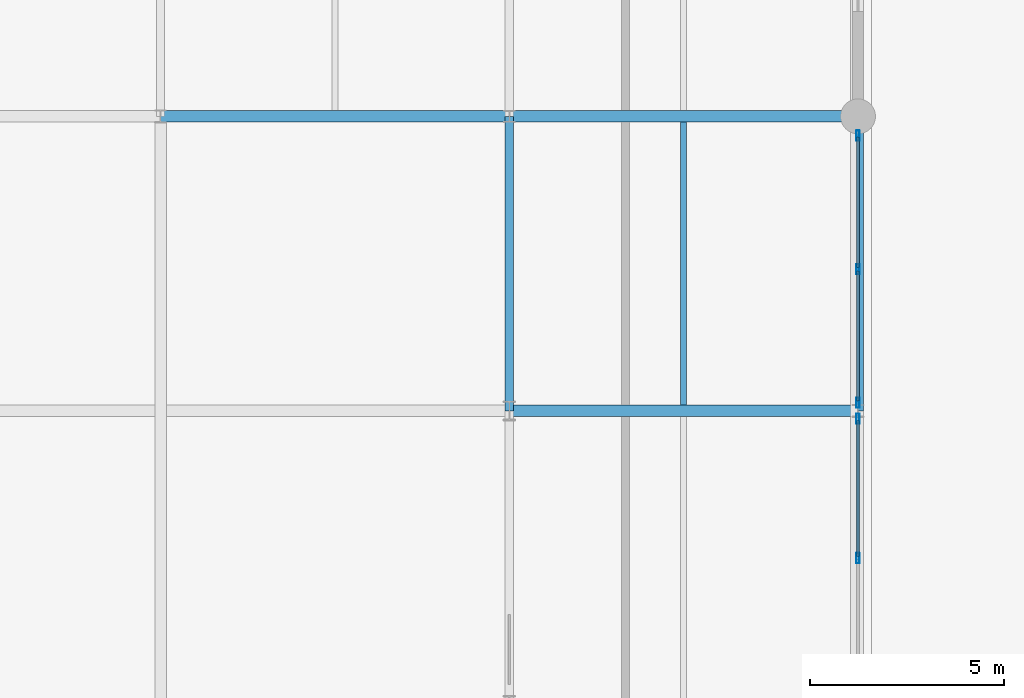
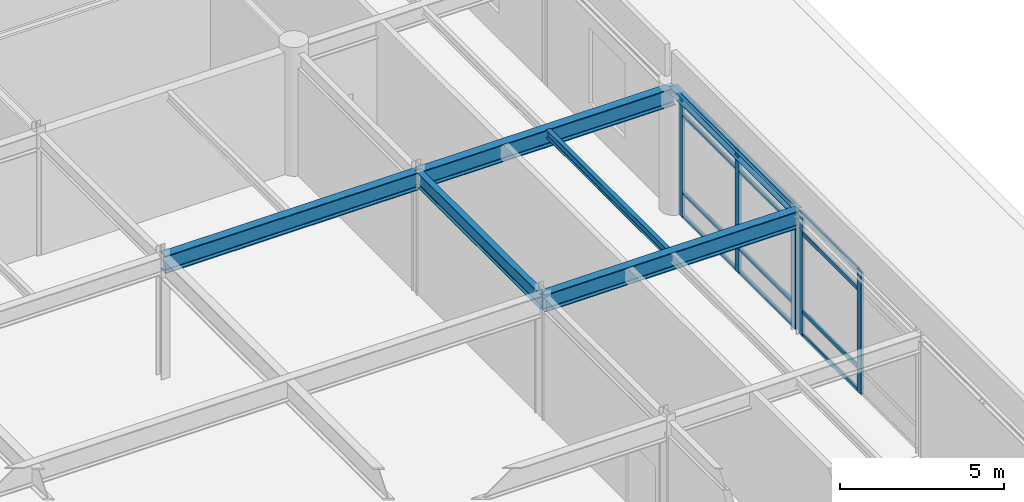
# One storey, part 21 of 43: 17 members, 6 beams, 2 elements without a shape of their own.
"""IFC4 building model written with IfcOpenShell, lengths in metres."""

import ifcopenshell
import ifcopenshell.guid

model = None  # the IFC model being written
_history = None  # IfcOwnerHistory: only IFC2X3 demands one
_inside = {}  # id of a spatial element -> (the spatial element, [elements in it])
_under = {}  # id of a project, library or spatial element -> (it, [spatial elements below it])
_declared = {}  # id of a project -> (the project, [libraries it declares])
_typed = {}  # id of a type object -> (the type object, [elements of that type])
_made_of = {}  # id of a material, layer set ... -> (it, [elements and type objects made of it])


def new_model(schema):
    """Start an empty IFC model of exactly this schema.

    Asked for "IFC4X3", IfcOpenShell would pick the latest addendum, in which some entities
    have other attributes; the version numbers below select the first issue.
    IFC2X3 requires an IfcOwnerHistory on every rooted entity: one is made here for all.
    """
    global model, _history
    if schema == "IFC4X3":
        model = ifcopenshell.file(schema_version=(4, 3, 0, 0))
    else:
        model = ifcopenshell.file(schema=schema)
    _inside.clear()
    _under.clear()
    _declared.clear()
    _typed.clear()
    _made_of.clear()
    _history = None
    if model.schema == "IFC2X3":
        org = make("IfcOrganization", Name="unknown")
        user = make(
            "IfcPersonAndOrganization",
            ThePerson=make("IfcPerson", FamilyName="unknown"),
            TheOrganization=org,
        )
        app = make(
            "IfcApplication",
            ApplicationDeveloper=org,
            Version="unknown",
            ApplicationFullName="unknown",
            ApplicationIdentifier="unknown",
        )
        _history = make(
            "IfcOwnerHistory",
            OwningUser=user,
            OwningApplication=app,
            ChangeAction="ADDED",
            CreationDate=0,
        )
    return model


def make(cls, **values):
    """One entity of the class cls with the attributes given. An attribute that is None is left unset."""
    return model.create_entity(
        cls, **{name: value for name, value in values.items() if value is not None}
    )


def rooted(cls, **values):
    """An entity with a GlobalId (a new one), such as an element, a storey or a relation."""
    return make(cls, GlobalId=ifcopenshell.guid.new(), OwnerHistory=_history, **values)


def si_unit(unit_type, name, prefix=None):
    """IfcSIUnit, for example si_unit("LENGTHUNIT", "METRE", prefix="MILLI")."""
    return make("IfcSIUnit", UnitType=unit_type, Prefix=prefix, Name=name)


def assignment(units):
    """IfcUnitAssignment: the units of a project."""
    return None if units is None else make("IfcUnitAssignment", Units=units)


def point(xyz):
    """IfcCartesianPoint."""
    return None if xyz is None else make("IfcCartesianPoint", Coordinates=xyz)


def direction(xyz):
    """IfcDirection."""
    return None if xyz is None else make("IfcDirection", DirectionRatios=xyz)


def frame(location, z_axis=None, x_axis=None):
    """IfcAxis2Placement3D, a coordinate frame: its origin and axes. An axis left out is left unset."""
    return make(
        "IfcAxis2Placement3D",
        Location=point(location),
        Axis=direction(z_axis),
        RefDirection=direction(x_axis),
    )


def frame_2d(location, x_axis=None):
    """IfcAxis2Placement2D, a coordinate frame in the plane: its origin and x axis."""
    return make(
        "IfcAxis2Placement2D", Location=point(location), RefDirection=direction(x_axis)
    )


def origin():
    """The frame at (0, 0, 0) with its axes left unset."""
    return frame((0.0, 0.0, 0.0))


def origin_2d():
    """The frame at (0, 0) in the plane with its x axis left unset."""
    return frame_2d((0.0, 0.0))


def place(relative_to, where):
    """IfcLocalPlacement: puts the frame where relative to a parent placement (None: the world)."""
    return make(
        "IfcLocalPlacement", PlacementRelTo=relative_to, RelativePlacement=where
    )


def context(
    kind, dimensions, precision=None, world=None, true_north=None, identifier=None
):
    """IfcGeometricRepresentationContext, for example the 3D "Model" context."""
    return make(
        "IfcGeometricRepresentationContext",
        ContextIdentifier=identifier,
        ContextType=kind,
        CoordinateSpaceDimension=dimensions,
        Precision=precision,
        WorldCoordinateSystem=world,
        TrueNorth=true_north,
    )


def subcontext(parent, identifier, kind, view, scale=None):
    """IfcGeometricRepresentationSubContext, for example "Body" below "Model"."""
    return make(
        "IfcGeometricRepresentationSubContext",
        ContextIdentifier=identifier,
        ContextType=kind,
        ParentContext=parent,
        TargetScale=scale,
        TargetView=view,
    )


def project(units=None, contexts=None):
    """IfcProject with its units and contexts."""
    return rooted(
        "IfcProject",
        Name="project",
        RepresentationContexts=contexts,
        UnitsInContext=assignment(units),
    )


def spatial(cls, under=None, at=None, **own):
    """A site, building, storey or space (cls), placed at a placement, below another one or the project."""
    s = rooted(cls, ObjectPlacement=at, **own)
    if under is not None:
        _under.setdefault(under.id(), (under, []))[1].append(s)
    return s


def profile(cls, at=None, kind="AREA", **sizes):
    """A parametric profile (cls). Its sizes go by their IFC names, for example OverallWidth=200.0."""
    return make(cls, ProfileType=kind, Position=at, **sizes)


def hollow_rectangle(**sizes):
    """IfcRectangleHollowProfileDef."""
    return profile("IfcRectangleHollowProfileDef", **sizes)


def i_section(**sizes):
    """IfcIShapeProfileDef."""
    return profile("IfcIShapeProfileDef", **sizes)


def extrude(swept, where, along, depth):
    """IfcExtrudedAreaSolid: the profile swept, set in the frame where, extruded along a direction by depth."""
    return make(
        "IfcExtrudedAreaSolid",
        SweptArea=swept,
        Position=where,
        ExtrudedDirection=direction(along),
        Depth=depth,
    )


def shape(context_of_items, identifier, shape_type, items):
    """IfcShapeRepresentation: the items that make up one representation, for example the "Body"."""
    return make(
        "IfcShapeRepresentation",
        ContextOfItems=context_of_items,
        RepresentationIdentifier=identifier,
        RepresentationType=shape_type,
        Items=items,
    )


def material(Name=None, Category=None):
    """IfcMaterial."""
    return make("IfcMaterial", Name=Name, Category=Category)


def layer(
    of_material, thickness, ventilated=None, Name=None, Category=None, Priority=None
):
    """IfcMaterialLayer: one layer of a wall or slab, of a material (None: an air gap)."""
    return make(
        "IfcMaterialLayer",
        Material=of_material,
        LayerThickness=thickness,
        IsVentilated=ventilated,
        Name=Name,
        Category=Category,
        Priority=Priority,
    )


def layer_set(layers, Name=None):
    """IfcMaterialLayerSet."""
    return make("IfcMaterialLayerSet", MaterialLayers=layers, LayerSetName=Name)


def material_profile(
    of_material, cross_section, Name=None, Category=None, Priority=None
):
    """IfcMaterialProfile: a cross section and its material."""
    return make(
        "IfcMaterialProfile",
        Name=Name,
        Material=of_material,
        Profile=cross_section,
        Priority=Priority,
        Category=Category,
    )


def profile_set(profiles, Name=None, composite=None):
    """IfcMaterialProfileSet."""
    return make(
        "IfcMaterialProfileSet",
        Name=Name,
        MaterialProfiles=profiles,
        CompositeProfile=composite,
    )


def made_of(thing, what):
    """Note that an element or type object is made of a material, layer set ...; save() writes the relation."""
    if what is not None:
        _made_of.setdefault(what.id(), (what, []))[1].append(thing)
    return thing


def type_object(cls, material=None, **own):
    """A type object (cls), such as IfcWallType, which elements share."""
    return made_of(rooted(cls, **own), material)


def element(
    cls,
    number,
    at=None,
    inside=None,
    cuts=None,
    type_object=None,
    material=None,
    context=None,
    identifier="Body",
    shape_type=None,
    held_by="IfcProductDefinitionShape",
    body=None,
    shapes=None,
    **own,
):
    """One element of the class cls, such as IfcWall. Its Tag is "e" and its number.

    at: its placement. inside: the storey or other place that contains it. cuts: it is an
    opening in that element (IfcRelVoidsElement). A single representation is given by context,
    identifier, shape_type and body (its items); several are given by shapes. held_by: the class
    of the entity that holds the representations. save() writes the other relations.
    """
    e = rooted(cls, Tag="e%d" % number, ObjectPlacement=at, **own)
    if body is not None:
        shapes = [shape(context, identifier, shape_type, body)]
    if shapes is not None:
        e.Representation = make(held_by, Representations=shapes)
    if inside is not None:
        _inside.setdefault(inside.id(), (inside, []))[1].append(e)
    if cuts is not None:
        rooted(
            "IfcRelVoidsElement", RelatingBuildingElement=cuts, RelatedOpeningElement=e
        )
    if type_object is not None:
        _typed.setdefault(type_object.id(), (type_object, []))[1].append(e)
    return made_of(e, material)


def aggregate(whole, parts):
    """IfcRelAggregates: a whole, such as a stair, and the parts it consists of."""
    return rooted("IfcRelAggregates", RelatingObject=whole, RelatedObjects=parts)


def save(model, path):
    """Write the relations noted so far, then the file.

    IfcRelAggregates (storeys below a building ...), IfcRelContainedInSpatialStructure (elements
    in a storey), IfcRelDefinesByType, IfcRelAssociatesMaterial and IfcRelDeclares: one each for
    every whole, place, type object, material and project.
    """
    for whole, parts in _under.values():
        aggregate(whole, parts)
    for where, things in _inside.values():
        rooted(
            "IfcRelContainedInSpatialStructure",
            RelatedElements=things,
            RelatingStructure=where,
        )
    for kind, things in _typed.values():
        rooted("IfcRelDefinesByType", RelatedObjects=things, RelatingType=kind)
    for what, things in _made_of.values():
        rooted("IfcRelAssociatesMaterial", RelatedObjects=things, RelatingMaterial=what)
    for by, libraries in _declared.values():
        rooted("IfcRelDeclares", RelatingContext=by, RelatedDefinitions=libraries)
    model.write(path)


model = new_model("IFC4")

# Units and contexts
model_context = context("Model", 3, precision=1e-05, world=origin(), true_north=direction((0.0, 1.0)))
body_context = subcontext(model_context, "Body", "Model", "MODEL_VIEW")
ifc_project = project(units=[si_unit("LENGTHUNIT", "METRE"), si_unit("AREAUNIT", "SQUARE_METRE"), si_unit("VOLUMEUNIT", "CUBIC_METRE"), si_unit("PLANEANGLEUNIT", "RADIAN"), si_unit("MASSUNIT", "GRAM", prefix="KILO")], contexts=[model_context])

# Site, building, storey
site_placement = place(None, origin())
site = spatial("IfcSite", under=ifc_project, at=site_placement, CompositionType="ELEMENT")
building_placement = place(site_placement, origin())
building = spatial("IfcBuilding", under=site, at=building_placement, Name="Shalkamar Park Central Library", CompositionType="ELEMENT")
storey_placement = place(building_placement, frame((0.0, 0.0, 15.60009765625)))
storey = spatial("IfcBuildingStorey", under=building, at=storey_placement, Name="L04", CompositionType="ELEMENT", Elevation=15.60009765625)

# Beam
ifc_material_1 = material(Name="Steel S355", Category="steel")
ifc_material_profile_1 = material_profile(ifc_material_1, i_section(OverallWidth=0.14990234375, OverallDepth=0.300048828125, WebThickness=0.007080078125, FlangeThickness=0.0107421875, FilletRadius=0.014892578125, at=origin_2d()), Name="IPE 300")
ifc_profile_set_1 = profile_set([ifc_material_profile_1], Name="Steel S355")
beam_type_1 = type_object("IfcBeamType", Name="Composite Floor Joist IPE300", PredefinedType="JOIST", material=ifc_profile_set_1)
beam_1_placement = place(storey_placement, frame((259.5, 285.748046875, 4.419921875), z_axis=(0.0, 1.0, 0.0), x_axis=(-1.0, 0.0, 0.0)))
element("IfcBeam", 1, at=beam_1_placement, inside=storey, type_object=beam_type_1, Name="Composite Joist 18/G-1 (L04)", PredefinedType="JOIST", context=body_context, shape_type="SweptSolid", body=[
    extrude(i_section(OverallWidth=0.14990234375, OverallDepth=0.300048828125, WebThickness=0.007080078125, FlangeThickness=0.0107421875, FilletRadius=0.014892578125, at=origin_2d()), origin(), (0.0, 0.0, 1.0), 7.303955078125),
])

# Curtain wall, members
ifc_material_2 = material(Name="Thermally broken aluminium and triple low-e curtain wall", Category="aluminium")
ifc_layer_1 = layer(ifc_material_2, 0.27001953125)
ifc_layer_set_1 = layer_set([ifc_layer_1], Name="UnitisedCurtainWall_65")
curtain_wall_type_1 = type_object("IfcCurtainWallType", Name="Unitised Curtain Wall 65", PredefinedType="USERDEFINED", material=ifc_layer_set_1)
curtain_wall_1_placement = place(storey_placement, origin())
curtain_wall_1 = element("IfcCurtainWall", 2, at=curtain_wall_1_placement, inside=storey, type_object=curtain_wall_type_1, Name="Unitised Curtain Wall CW-L04-080", ObjectType="UNITISED CURTAIN WALL", PredefinedType="USERDEFINED")
ifc_material_3 = material(Name="Aluminium 6060-T66", Category="aluminium")
ifc_material_profile_2 = material_profile(ifc_material_3, hollow_rectangle(XDim=0.080078125, YDim=0.27001953125, WallThickness=0.0048828125, InnerFilletRadius=0.0048828125, OuterFilletRadius=0.007568359375, at=origin_2d()), Name="ALU 80x270x5")
ifc_profile_set_2 = profile_set([ifc_material_profile_2], Name="Aluminium 6060-T66")
member_type_1 = type_object("IfcMemberType", Name="Curtain Wall Mullion ALU80x270", PredefinedType="MULLION", material=ifc_profile_set_2)
member_1_placement = place(storey_placement, frame((264.0, 281.800048828125, 0.0), z_axis=(0.0, 0.0, 1.0), x_axis=(-1.0, 0.0, 0.0)))
member_1 = element("IfcMember", 3, at=member_1_placement, type_object=member_type_1, Name="CW-65 mullion 2", PredefinedType="MULLION", context=body_context, shape_type="SweptSolid", body=[
    extrude(hollow_rectangle(XDim=0.080078125, YDim=0.27001953125, WallThickness=0.0048828125, InnerFilletRadius=0.0048828125, OuterFilletRadius=0.007568359375, at=origin_2d()), origin(), (0.0, 0.0, 1.0), 4.56982421875),
])
member_2_placement = place(storey_placement, frame((264.0, 285.39599609375, 0.0), z_axis=(0.0, 0.0, 1.0), x_axis=(-1.0, 0.0, 0.0)))
member_2 = element("IfcMember", 4, at=member_2_placement, type_object=member_type_1, Name="CW-65 mullion 3", PredefinedType="MULLION", context=body_context, shape_type="SweptSolid", body=[
    extrude(hollow_rectangle(XDim=0.080078125, YDim=0.27001953125, WallThickness=0.0048828125, InnerFilletRadius=0.0048828125, OuterFilletRadius=0.007568359375, at=origin_2d()), origin(), (0.0, 0.0, 1.0), 4.56982421875),
])

ifc_layer_2 = layer(ifc_material_2, 0.264892578125)
ifc_layer_set_2 = layer_set([ifc_layer_2], Name="UnitisedCurtainWall_66")
curtain_wall_type_2 = type_object("IfcCurtainWallType", Name="Unitised Curtain Wall 66", PredefinedType="USERDEFINED", material=ifc_layer_set_2)
curtain_wall_2_placement = place(storey_placement, origin())
curtain_wall_2 = element("IfcCurtainWall", 5, at=curtain_wall_2_placement, inside=storey, type_object=curtain_wall_type_2, Name="Unitised Curtain Wall CW-L04-081", ObjectType="UNITISED CURTAIN WALL", PredefinedType="USERDEFINED")
ifc_material_profile_3 = material_profile(ifc_material_3, hollow_rectangle(XDim=0.0849609375, YDim=0.264892578125, WallThickness=0.0048828125, InnerFilletRadius=0.0048828125, OuterFilletRadius=0.007568359375, at=origin_2d()), Name="ALU 85x265x5")
ifc_profile_set_3 = profile_set([ifc_material_profile_3], Name="Aluminium 6060-T66")
member_type_2 = type_object("IfcMemberType", Name="Curtain Wall Mullion ALU85x265", PredefinedType="MULLION", material=ifc_profile_set_3)
member_3_placement = place(storey_placement, frame((264.0, 285.806396484375, 0.0), z_axis=(0.0, 0.0, 1.0), x_axis=(-1.0, 0.0, 0.0)))
member_3 = element("IfcMember", 6, at=member_3_placement, type_object=member_type_2, Name="CW-66 mullion 1", PredefinedType="MULLION", context=body_context, shape_type="SweptSolid", body=[
    extrude(hollow_rectangle(XDim=0.0849609375, YDim=0.264892578125, WallThickness=0.0048828125, InnerFilletRadius=0.0048828125, OuterFilletRadius=0.007568359375, at=origin_2d()), origin(), (0.0, 0.0, 1.0), 4.5498046875),
])
member_4_placement = place(storey_placement, frame((264.0, 289.2548828125, 0.0), z_axis=(0.0, 0.0, 1.0), x_axis=(-1.0, 0.0, 0.0)))
member_4 = element("IfcMember", 7, at=member_4_placement, type_object=member_type_2, Name="CW-66 mullion 2", PredefinedType="MULLION", context=body_context, shape_type="SweptSolid", body=[
    extrude(hollow_rectangle(XDim=0.0849609375, YDim=0.264892578125, WallThickness=0.0048828125, InnerFilletRadius=0.0048828125, OuterFilletRadius=0.007568359375, at=origin_2d()), origin(), (0.0, 0.0, 1.0), 4.5498046875),
])
member_5_placement = place(storey_placement, frame((264.0, 292.70361328125, 0.0), z_axis=(0.0, 0.0, 1.0), x_axis=(-1.0, 0.0, 0.0)))
member_5 = element("IfcMember", 8, at=member_5_placement, type_object=member_type_2, Name="CW-66 mullion 3", PredefinedType="MULLION", context=body_context, shape_type="SweptSolid", body=[
    extrude(hollow_rectangle(XDim=0.0849609375, YDim=0.264892578125, WallThickness=0.0048828125, InnerFilletRadius=0.0048828125, OuterFilletRadius=0.007568359375, at=origin_2d()), origin(), (0.0, 0.0, 1.0), 4.5498046875),
])

# Member
ifc_material_profile_4 = material_profile(ifc_material_3, hollow_rectangle(XDim=0.06494140625, YDim=0.175048828125, WallThickness=0.00439453125, InnerFilletRadius=0.00439453125, OuterFilletRadius=0.0068359375, at=origin_2d()), Name="ALU 65x175x4.5")
ifc_profile_set_4 = profile_set([ifc_material_profile_4], Name="Aluminium 6060-T66")
member_type_3 = type_object("IfcMemberType", Name="Curtain Wall Transom ALU65x175", PredefinedType="USERDEFINED", material=ifc_profile_set_4)
member_6_placement = place(storey_placement, frame((264.0, 281.840087890625, 0.032470703125), z_axis=(0.0, 1.0, 0.0), x_axis=(-1.0, 0.0, 0.0)))
member_6 = element("IfcMember", 9, at=member_6_placement, type_object=member_type_3, Name="CW-65 transom 2.1", ObjectType="TRANSOM", PredefinedType="USERDEFINED", context=body_context, shape_type="SweptSolid", body=[
    extrude(hollow_rectangle(XDim=0.06494140625, YDim=0.175048828125, WallThickness=0.00439453125, InnerFilletRadius=0.00439453125, OuterFilletRadius=0.0068359375, at=origin_2d()), origin(), (0.0, 0.0, 1.0), 3.515869140625),
])

member_7_placement = place(storey_placement, frame((264.0, 281.840087890625, 0.89990234375), z_axis=(0.0, 1.0, 0.0), x_axis=(-1.0, 0.0, 0.0)))
member_7 = element("IfcMember", 10, at=member_7_placement, type_object=member_type_3, Name="CW-65 transom 2.2", ObjectType="TRANSOM", PredefinedType="USERDEFINED", context=body_context, shape_type="SweptSolid", body=[
    extrude(hollow_rectangle(XDim=0.06494140625, YDim=0.175048828125, WallThickness=0.00439453125, InnerFilletRadius=0.00439453125, OuterFilletRadius=0.0068359375, at=origin_2d()), origin(), (0.0, 0.0, 1.0), 3.515869140625),
])

member_8_placement = place(storey_placement, frame((264.0, 281.840087890625, 3.81982421875), z_axis=(0.0, 1.0, 0.0), x_axis=(-1.0, 0.0, 0.0)))
member_8 = element("IfcMember", 11, at=member_8_placement, type_object=member_type_3, Name="CW-65 transom 2.3", ObjectType="TRANSOM", PredefinedType="USERDEFINED", context=body_context, shape_type="SweptSolid", body=[
    extrude(hollow_rectangle(XDim=0.06494140625, YDim=0.175048828125, WallThickness=0.00439453125, InnerFilletRadius=0.00439453125, OuterFilletRadius=0.0068359375, at=origin_2d()), origin(), (0.0, 0.0, 1.0), 3.515869140625),
])

member_9_placement = place(storey_placement, frame((264.0, 281.840087890625, 4.537353515625), z_axis=(0.0, 1.0, 0.0), x_axis=(-1.0, 0.0, 0.0)))
member_9 = element("IfcMember", 12, at=member_9_placement, type_object=member_type_3, Name="CW-65 transom 2.4", ObjectType="TRANSOM", PredefinedType="USERDEFINED", context=body_context, shape_type="SweptSolid", body=[
    extrude(hollow_rectangle(XDim=0.06494140625, YDim=0.175048828125, WallThickness=0.00439453125, InnerFilletRadius=0.00439453125, OuterFilletRadius=0.0068359375, at=origin_2d()), origin(), (0.0, 0.0, 1.0), 3.515869140625),
])

aggregate(curtain_wall_1, [member_1, member_2, member_6, member_7, member_8, member_9])

ifc_material_profile_5 = material_profile(ifc_material_3, hollow_rectangle(XDim=0.070068359375, YDim=0.179931640625, WallThickness=0.00439453125, InnerFilletRadius=0.00439453125, OuterFilletRadius=0.0068359375, at=origin_2d()), Name="ALU 70x180x4.5")
ifc_profile_set_5 = profile_set([ifc_material_profile_5], Name="Aluminium 6060-T66")
member_type_4 = type_object("IfcMemberType", Name="Curtain Wall Transom ALU70x180", PredefinedType="USERDEFINED", material=ifc_profile_set_5)
member_10_placement = place(storey_placement, frame((264.0, 285.84912109375, 0.034912109375), z_axis=(0.0, 1.0, 0.0), x_axis=(-1.0, 0.0, 0.0)))
member_10 = element("IfcMember", 13, at=member_10_placement, type_object=member_type_4, Name="CW-66 transom 1.1", ObjectType="TRANSOM", PredefinedType="USERDEFINED", context=body_context, shape_type="SweptSolid", body=[
    extrude(hollow_rectangle(XDim=0.070068359375, YDim=0.179931640625, WallThickness=0.00439453125, InnerFilletRadius=0.00439453125, OuterFilletRadius=0.0068359375, at=origin_2d()), origin(), (0.0, 0.0, 1.0), 3.36328125),
])

member_11_placement = place(storey_placement, frame((264.0, 285.84912109375, 0.89990234375), z_axis=(0.0, 1.0, 0.0), x_axis=(-1.0, 0.0, 0.0)))
member_11 = element("IfcMember", 14, at=member_11_placement, type_object=member_type_4, Name="CW-66 transom 1.2", ObjectType="TRANSOM", PredefinedType="USERDEFINED", context=body_context, shape_type="SweptSolid", body=[
    extrude(hollow_rectangle(XDim=0.070068359375, YDim=0.179931640625, WallThickness=0.00439453125, InnerFilletRadius=0.00439453125, OuterFilletRadius=0.0068359375, at=origin_2d()), origin(), (0.0, 0.0, 1.0), 3.36328125),
])

member_12_placement = place(storey_placement, frame((264.0, 285.84912109375, 3.7998046875), z_axis=(0.0, 1.0, 0.0), x_axis=(-1.0, 0.0, 0.0)))
member_12 = element("IfcMember", 15, at=member_12_placement, type_object=member_type_4, Name="CW-66 transom 1.3", ObjectType="TRANSOM", PredefinedType="USERDEFINED", context=body_context, shape_type="SweptSolid", body=[
    extrude(hollow_rectangle(XDim=0.070068359375, YDim=0.179931640625, WallThickness=0.00439453125, InnerFilletRadius=0.00439453125, OuterFilletRadius=0.0068359375, at=origin_2d()), origin(), (0.0, 0.0, 1.0), 3.36328125),
])

member_13_placement = place(storey_placement, frame((264.0, 285.84912109375, 4.514892578125), z_axis=(0.0, 1.0, 0.0), x_axis=(-1.0, 0.0, 0.0)))
member_13 = element("IfcMember", 16, at=member_13_placement, type_object=member_type_4, Name="CW-66 transom 1.4", ObjectType="TRANSOM", PredefinedType="USERDEFINED", context=body_context, shape_type="SweptSolid", body=[
    extrude(hollow_rectangle(XDim=0.070068359375, YDim=0.179931640625, WallThickness=0.00439453125, InnerFilletRadius=0.00439453125, OuterFilletRadius=0.0068359375, at=origin_2d()), origin(), (0.0, 0.0, 1.0), 3.36328125),
])

member_14_placement = place(storey_placement, frame((264.0, 289.297607421875, 0.034912109375), z_axis=(0.0, 1.0, 0.0), x_axis=(-1.0, 0.0, 0.0)))
member_14 = element("IfcMember", 17, at=member_14_placement, type_object=member_type_4, Name="CW-66 transom 2.1", ObjectType="TRANSOM", PredefinedType="USERDEFINED", context=body_context, shape_type="SweptSolid", body=[
    extrude(hollow_rectangle(XDim=0.070068359375, YDim=0.179931640625, WallThickness=0.00439453125, InnerFilletRadius=0.00439453125, OuterFilletRadius=0.0068359375, at=origin_2d()), origin(), (0.0, 0.0, 1.0), 3.36328125),
])

member_15_placement = place(storey_placement, frame((264.0, 289.297607421875, 0.89990234375), z_axis=(0.0, 1.0, 0.0), x_axis=(-1.0, 0.0, 0.0)))
member_15 = element("IfcMember", 18, at=member_15_placement, type_object=member_type_4, Name="CW-66 transom 2.2", ObjectType="TRANSOM", PredefinedType="USERDEFINED", context=body_context, shape_type="SweptSolid", body=[
    extrude(hollow_rectangle(XDim=0.070068359375, YDim=0.179931640625, WallThickness=0.00439453125, InnerFilletRadius=0.00439453125, OuterFilletRadius=0.0068359375, at=origin_2d()), origin(), (0.0, 0.0, 1.0), 3.36328125),
])

member_16_placement = place(storey_placement, frame((264.0, 289.297607421875, 3.7998046875), z_axis=(0.0, 1.0, 0.0), x_axis=(-1.0, 0.0, 0.0)))
member_16 = element("IfcMember", 19, at=member_16_placement, type_object=member_type_4, Name="CW-66 transom 2.3", ObjectType="TRANSOM", PredefinedType="USERDEFINED", context=body_context, shape_type="SweptSolid", body=[
    extrude(hollow_rectangle(XDim=0.070068359375, YDim=0.179931640625, WallThickness=0.00439453125, InnerFilletRadius=0.00439453125, OuterFilletRadius=0.0068359375, at=origin_2d()), origin(), (0.0, 0.0, 1.0), 3.36328125),
])

member_17_placement = place(storey_placement, frame((264.0, 289.297607421875, 4.514892578125), z_axis=(0.0, 1.0, 0.0), x_axis=(-1.0, 0.0, 0.0)))
member_17 = element("IfcMember", 20, at=member_17_placement, type_object=member_type_4, Name="CW-66 transom 2.4", ObjectType="TRANSOM", PredefinedType="USERDEFINED", context=body_context, shape_type="SweptSolid", body=[
    extrude(hollow_rectangle(XDim=0.070068359375, YDim=0.179931640625, WallThickness=0.00439453125, InnerFilletRadius=0.00439453125, OuterFilletRadius=0.0068359375, at=origin_2d()), origin(), (0.0, 0.0, 1.0), 3.36328125),
])

aggregate(curtain_wall_2, [member_3, member_4, member_5, member_10, member_11, member_12, member_13, member_14, member_15, member_16, member_17])

# Beams
ifc_material_profile_6 = material_profile(ifc_material_1, i_section(OverallWidth=0.280029296875, OverallDepth=0.27001953125, WebThickness=0.008056640625, FlangeThickness=0.012939453125, FilletRadius=0.02392578125, at=origin_2d()), Name="HEA 280")
ifc_profile_set_6 = profile_set([ifc_material_profile_6], Name="Steel S355")
beam_type_2 = type_object("IfcBeamType", Name="Perimeter Spandrel Beam HEA280", PredefinedType="SPANDREL", material=ifc_profile_set_6)
beam_2_placement = place(storey_placement, frame((264.0, 285.60009765625, 4.414794921875), z_axis=(0.0, 1.0, 0.0), x_axis=(-1.0, 0.0, 0.0)))
element("IfcBeam", 21, at=beam_2_placement, inside=storey, type_object=beam_type_2, Name="Beam 19:G-H (L04)", PredefinedType="SPANDREL", context=body_context, shape_type="SweptSolid", body=[
    extrude(i_section(OverallWidth=0.280029296875, OverallDepth=0.27001953125, WebThickness=0.008056640625, FlangeThickness=0.012939453125, FilletRadius=0.02392578125, at=origin_2d()), origin(), (0.0, 0.0, 1.0), 7.599853515625),
])
ifc_material_profile_7 = material_profile(ifc_material_1, i_section(OverallWidth=0.300048828125, OverallDepth=0.64990234375, WebThickness=0.01611328125, FlangeThickness=0.031005859375, FilletRadius=0.027099609375, at=origin_2d()), Name="HEB 650")
ifc_profile_set_7 = profile_set([ifc_material_profile_7], Name="Steel S355")
beam_type_3 = type_object("IfcBeamType", Name="Primary Girder HEB650", PredefinedType="BEAM", material=ifc_profile_set_7)
for number, where, z_axis, x_axis, name in (
    (22, (255.0, 285.60009765625, 4.244873046875), (1.0, 0.0, 0.0), (0.0, 1.0, 0.0), "Beam G:18-19 (L04)"),
    (23, (246.0, 293.199951171875, 4.224853515625), (1.0, 0.0, 0.0), (0.0, 1.0, 0.0), "Beam H:17-18 (L04)"),
    (24, (255.0, 293.199951171875, 4.224853515625), (1.0, 0.0, 0.0), (0.0, 1.0, 0.0), "Beam H:18-19 (L04)"),
):
    element("IfcBeam", number, at=place(storey_placement, frame(where, z_axis=z_axis, x_axis=x_axis)), inside=storey, type_object=beam_type_3, Name=name, PredefinedType="BEAM", context=body_context, shape_type="SweptSolid", body=[
        extrude(i_section(OverallWidth=0.300048828125, OverallDepth=0.64990234375, WebThickness=0.01611328125, FlangeThickness=0.031005859375, FilletRadius=0.027099609375, at=origin_2d()), origin(), (0.0, 0.0, 1.0), 9.0),
    ])
ifc_material_profile_8 = material_profile(ifc_material_1, i_section(OverallWidth=0.2099609375, OverallDepth=0.550048828125, WebThickness=0.010986328125, FlangeThickness=0.01708984375, FilletRadius=0.02392578125, at=origin_2d()), Name="IPE 550")
ifc_profile_set_8 = profile_set([ifc_material_profile_8], Name="Steel S355")
beam_type_4 = type_object("IfcBeamType", Name="Primary Girder IPE550", PredefinedType="BEAM", material=ifc_profile_set_8)
beam_3_placement = place(storey_placement, frame((255.0, 285.60009765625, 4.27490234375), z_axis=(0.0, 1.0, 0.0), x_axis=(-1.0, 0.0, 0.0)))
element("IfcBeam", 25, at=beam_3_placement, inside=storey, type_object=beam_type_4, Name="Beam 18:G-H (L04)", PredefinedType="BEAM", context=body_context, shape_type="SweptSolid", body=[
    extrude(i_section(OverallWidth=0.2099609375, OverallDepth=0.550048828125, WebThickness=0.010986328125, FlangeThickness=0.01708984375, FilletRadius=0.02392578125, at=origin_2d()), origin(), (0.0, 0.0, 1.0), 7.599853515625),
])

save(model, "model.ifc")
